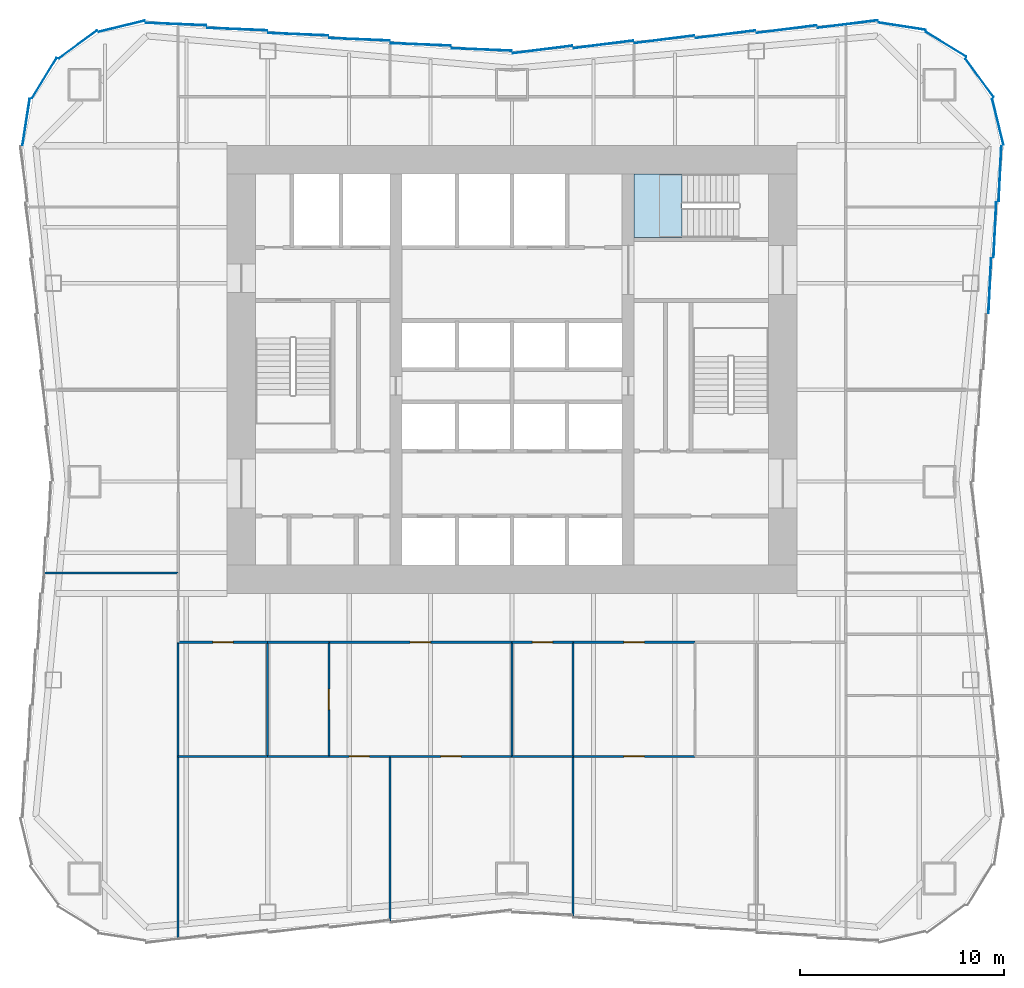
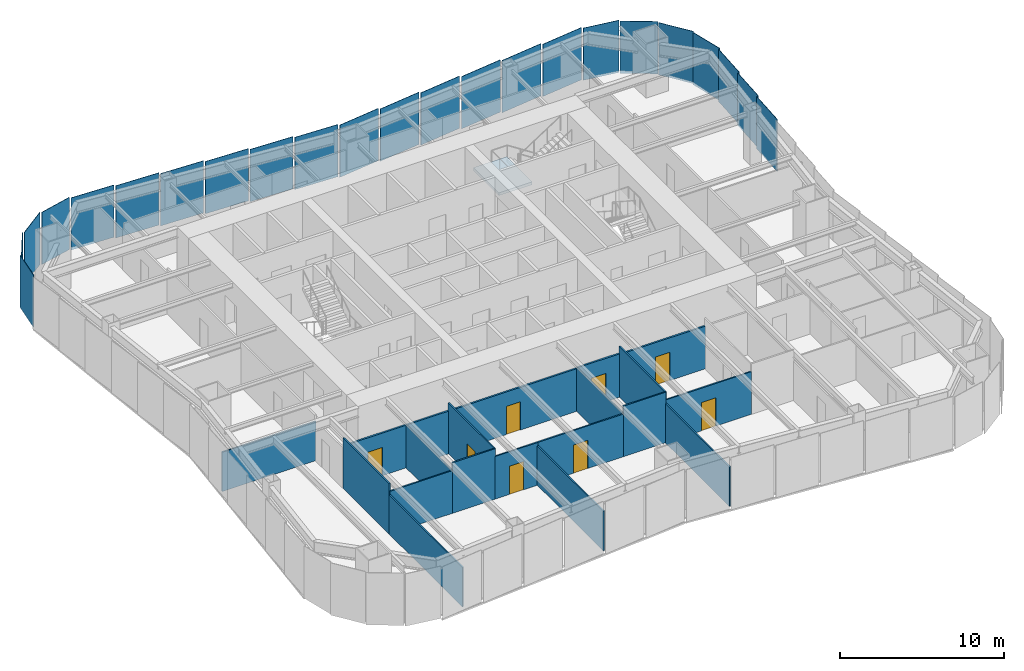
# One storey, part 3 of 7: 23 plates, 20 walls, 8 doors, 1 slab, 8 openings, 5 elements without a shape of their own.
"""IFC4 building model written with IfcOpenShell, lengths in metres."""

from ifc_helpers import new_model, si_unit, direction, frame, frame_2d, origin, origin_2d, place, context, subcontext, project, spatial, polyline, rectangle, outline, extrude, material, layer, layer_set, type_object, element, fill, aggregate, save


model = new_model("IFC4")

# Units and contexts
model_context = context("Model", 3, precision=1e-05, world=origin(), true_north=direction((0.0, 1.0)))
body_context = subcontext(model_context, "Body", "Model", "MODEL_VIEW")
ifc_project = project(units=[si_unit("LENGTHUNIT", "METRE"), si_unit("AREAUNIT", "SQUARE_METRE"), si_unit("VOLUMEUNIT", "CUBIC_METRE"), si_unit("PLANEANGLEUNIT", "RADIAN"), si_unit("MASSUNIT", "GRAM", prefix="KILO")], contexts=[model_context])

# Site, building, storey
site_placement = place(None, origin())
site = spatial("IfcSite", under=ifc_project, at=site_placement, CompositionType="ELEMENT")
building_placement = place(site_placement, origin())
building = spatial("IfcBuilding", under=site, at=building_placement, Name="Verdant Reach Tower", CompositionType="ELEMENT")
storey_placement = place(building_placement, frame((0.0, 0.0, 54.0)))
storey = spatial("IfcBuildingStorey", under=building, at=storey_placement, Name="L12", CompositionType="ELEMENT", Elevation=54.0)

# Stair, slab
ifc_material_1 = material(Name="Concrete C40/50", Category="concrete")
stair_type = type_object("IfcStairType", Name="CO-STAIR", PredefinedType="HALF_TURN_STAIR", material=ifc_material_1)
stair_placement = place(storey_placement, origin())
stair = element("IfcStair", 1, at=stair_placement, inside=storey, type_object=stair_type, Name="L12 Exit stair 3", PredefinedType="HALF_TURN_STAIR")
ifc_layer_1 = layer(ifc_material_1, 0.199951171875)
ifc_layer_set_1 = layer_set([ifc_layer_1], Name="CO-STAIR-LANDING")
slab_type = type_object("IfcSlabType", Name="CO-STAIR-LANDING", PredefinedType="LANDING", material=ifc_layer_set_1)
slab_placement = place(storey_placement, frame((0.0, 0.0, 1.800048828125)))
slab = element("IfcSlab", 2, at=slab_placement, type_object=slab_type, Name="ST-3 landing 1", PredefinedType="LANDING", context=body_context, shape_type="SweptSolid", body=[
    extrude(outline(polyline([(8.35009765625, 37.60009765625), (6.0, 37.60009765625), (6.0, 34.5), (8.35009765625, 34.5), (8.35009765625, 37.60009765625)])), origin(), (0.0, 0.0, 1.0), 0.199951171875),
])
aggregate(stair, [slab])

# Curtain wall, plate
ifc_material_2 = material(Name="Anodised aluminium", Category="aluminium")
curtain_wall_type = type_object("IfcCurtainWallType", Name="EN-CW SYSTEM Z0", PredefinedType="NOTDEFINED", material=ifc_material_2)
curtain_wall_1_placement = place(storey_placement, origin())
curtain_wall_1 = element("IfcCurtainWall", 3, at=curtain_wall_1_placement, inside=storey, type_object=curtain_wall_type, Name="Curtain wall north-east corner, L12", PredefinedType="NOTDEFINED")
ifc_material_3 = material(Name="Tinted glass with champagne spandrel", Category="glass")
ifc_layer_2 = layer(ifc_material_3, 0.031982421875)
ifc_layer_set_2 = layer_set([ifc_layer_2], Name="EN-PANEL CHAMPAGNE")
plate_type_1 = type_object("IfcPlateType", Name="EN-PANEL CHAMPAGNE", PredefinedType="CURTAIN_PANEL", material=ifc_layer_set_2)
plate_1_placement = place(storey_placement, frame((23.86767578125, 40.169921875, -0.22998046875), z_axis=(0.0, 0.0, 1.0), x_axis=(-0.236346786246, 0.97166876899, 0.0)))
plate_1 = element("IfcPlate", 4, at=plate_1_placement, type_object=plate_type_1, Name="Glass panel north-east corner 1.1, L12", PredefinedType="CURTAIN_PANEL", context=body_context, shape_type="SweptSolid", body=[
    extrude(rectangle(XDim=2.31884765625, YDim=0.031982421875, at=origin_2d()), origin(), (0.0, 0.0, 1.0), 3.8798828125),
])

# Curtain wall, plates
curtain_wall_2_placement = place(storey_placement, origin())
curtain_wall_2 = element("IfcCurtainWall", 5, at=curtain_wall_2_placement, inside=storey, type_object=curtain_wall_type, Name="Curtain wall north, L12", PredefinedType="NOTDEFINED")
plate_2_placement = place(storey_placement, frame((4.49169921875, 43.974609375, -0.22998046875), z_axis=(0.0, 0.0, 1.0), x_axis=(-0.992194034542, -0.124703639961, 0.0)))
plate_2 = element("IfcPlate", 6, at=plate_2_placement, type_object=plate_type_1, Name="Glass panel north face part 1 5.1, L12", PredefinedType="CURTAIN_PANEL", context=body_context, shape_type="SweptSolid", body=[
    extrude(rectangle(XDim=2.954345703125, YDim=0.031982421875, at=origin_2d()), origin(), (0.0, 0.0, 1.0), 3.8798828125),
])
plate_3_placement = place(storey_placement, frame((1.495849609375, 43.724853515625, -0.22998046875), z_axis=(0.0, 0.0, 1.0), x_axis=(-0.992179679439, -0.124817802047, 0.0)))
plate_3 = element("IfcPlate", 7, at=plate_3_placement, type_object=plate_type_1, Name="Glass panel north face part 1 6.1, L12", PredefinedType="CURTAIN_PANEL", context=body_context, shape_type="SweptSolid", body=[
    extrude(rectangle(XDim=2.946044921875, YDim=0.031982421875, at=origin_2d()), origin(), (0.0, 0.0, 1.0), 3.8798828125),
])
plate_4_placement = place(storey_placement, frame((-16.498779296875, 44.974853515625, -0.22998046875), z_axis=(0.0, 0.0, 1.0), x_axis=(-0.999162442933, 0.040919587398, 0.0)))
plate_4 = element("IfcPlate", 8, at=plate_4_placement, type_object=plate_type_1, Name="Glass panel north face part 2 6.1, L12", PredefinedType="CURTAIN_PANEL", context=body_context, shape_type="SweptSolid", body=[
    extrude(rectangle(XDim=2.96826171875, YDim=0.031982421875, at=origin_2d()), origin(), (0.0, 0.0, 1.0), 3.8798828125),
])

curtain_wall_3_placement = place(storey_placement, origin())
curtain_wall_3 = element("IfcCurtainWall", 9, at=curtain_wall_3_placement, inside=storey, type_object=curtain_wall_type, Name="Curtain wall east, L12", PredefinedType="NOTDEFINED")
ifc_material_4 = material(Name="Tinted glass with copper spandrel", Category="glass")
ifc_layer_3 = layer(ifc_material_4, 0.031982421875)
ifc_layer_set_3 = layer_set([ifc_layer_3], Name="EN-PANEL COPPER")
plate_type_2 = type_object("IfcPlateType", Name="EN-PANEL COPPER", PredefinedType="CURTAIN_PANEL", material=ifc_layer_set_3)
plate_5_placement = place(storey_placement, frame((23.474609375, 32.115966796875, -0.22998046875), z_axis=(0.0, 0.0, 1.0), x_axis=(0.04875265175, 0.998810882473, 0.0)))
plate_5 = element("IfcPlate", 10, at=plate_5_placement, type_object=plate_type_2, Name="Glass panel east face part 2 4.1, L12", PredefinedType="CURTAIN_PANEL", context=body_context, shape_type="SweptSolid", body=[
    extrude(rectangle(XDim=2.705322265625, YDim=0.031982421875, at=origin_2d()), origin(), (0.0, 0.0, 1.0), 3.8798828125),
])
plate_6_placement = place(storey_placement, frame((23.724609375, 34.865966796875, -0.22998046875), z_axis=(0.0, 0.0, 1.0), x_axis=(0.04875265175, 0.998810882473, 0.0)))
plate_6 = element("IfcPlate", 11, at=plate_6_placement, type_object=plate_type_2, Name="Glass panel east face part 2 5.1, L12", PredefinedType="CURTAIN_PANEL", context=body_context, shape_type="SweptSolid", body=[
    extrude(rectangle(XDim=2.705322265625, YDim=0.031982421875, at=origin_2d()), origin(), (0.0, 0.0, 1.0), 3.8798828125),
])

# Plate
plate_7_placement = place(storey_placement, frame((22.974609375, 42.32373046875, -0.22998046875), z_axis=(0.0, 0.0, 1.0), x_axis=(-0.589926778461, 0.807456745624, 0.0)))
plate_7 = element("IfcPlate", 12, at=plate_7_placement, type_object=plate_type_2, Name="Glass panel north-east corner 2.1, L12", PredefinedType="CURTAIN_PANEL", context=body_context, shape_type="SweptSolid", body=[
    extrude(rectangle(XDim=2.32421875, YDim=0.031982421875, at=origin_2d()), origin(), (0.0, 0.0, 1.0), 3.8798828125),
])

plate_8_placement = place(storey_placement, frame((21.32373046875, 43.974609375, -0.22998046875), z_axis=(0.0, 0.0, 1.0), x_axis=(-0.853988681713, 0.520291583159, 0.0)))
plate_8 = element("IfcPlate", 13, at=plate_8_placement, type_object=plate_type_2, Name="Glass panel north-east corner 3.1, L12", PredefinedType="CURTAIN_PANEL", context=body_context, shape_type="SweptSolid", body=[
    extrude(rectangle(XDim=2.32421875, YDim=0.031982421875, at=origin_2d()), origin(), (0.0, 0.0, 1.0), 3.8798828125),
])

plate_9_placement = place(storey_placement, frame((16.498779296875, 44.974853515625, -0.22998046875), z_axis=(0.0, 0.0, 1.0), x_axis=(-0.992234176789, -0.124383835008, 0.0)))
plate_9 = element("IfcPlate", 14, at=plate_9_placement, type_object=plate_type_2, Name="Glass panel north face part 1 1.1, L12", PredefinedType="CURTAIN_PANEL", context=body_context, shape_type="SweptSolid", body=[
    extrude(rectangle(XDim=2.96826171875, YDim=0.031982421875, at=origin_2d()), origin(), (0.0, 0.0, 1.0), 3.8798828125),
])

plate_10_placement = place(storey_placement, frame((-1.495849609375, 43.724853515625, -0.22998046875), z_axis=(0.0, 0.0, 1.0), x_axis=(-0.999144450138, 0.041356592674, 0.0)))
plate_10 = element("IfcPlate", 15, at=plate_10_placement, type_object=plate_type_2, Name="Glass panel north face part 2 1.1, L12", PredefinedType="CURTAIN_PANEL", context=body_context, shape_type="SweptSolid", body=[
    extrude(rectangle(XDim=2.946044921875, YDim=0.031982421875, at=origin_2d()), origin(), (0.0, 0.0, 1.0), 3.8798828125),
])

plate_11_placement = place(storey_placement, frame((-4.49169921875, 43.974609375, -0.22998046875), z_axis=(0.0, 0.0, 1.0), x_axis=(-0.999149202059, 0.041241629766, 0.0)))
plate_11 = element("IfcPlate", 16, at=plate_11_placement, type_object=plate_type_2, Name="Glass panel north face part 2 2.1, L12", PredefinedType="CURTAIN_PANEL", context=body_context, shape_type="SweptSolid", body=[
    extrude(rectangle(XDim=2.954345703125, YDim=0.031982421875, at=origin_2d()), origin(), (0.0, 0.0, 1.0), 3.8798828125),
])

plate_12_placement = place(storey_placement, frame((-7.49169921875, 44.224609375, -0.22998046875), z_axis=(0.0, 0.0, 1.0), x_axis=(-0.999149202059, 0.041241629766, 0.0)))
plate_12 = element("IfcPlate", 17, at=plate_12_placement, type_object=plate_type_2, Name="Glass panel north face part 2 3.1, L12", PredefinedType="CURTAIN_PANEL", context=body_context, shape_type="SweptSolid", body=[
    extrude(rectangle(XDim=2.954345703125, YDim=0.031982421875, at=origin_2d()), origin(), (0.0, 0.0, 1.0), 3.8798828125),
])

# Curtain wall, plate
curtain_wall_4_placement = place(storey_placement, origin())
curtain_wall_4 = element("IfcCurtainWall", 18, at=curtain_wall_4_placement, inside=storey, type_object=curtain_wall_type, Name="Curtain wall north-west corner, L12", PredefinedType="NOTDEFINED")
plate_13_placement = place(storey_placement, frame((-19.169921875, 44.86767578125, -0.22998046875), z_axis=(0.0, 0.0, 1.0), x_axis=(-0.97166347331, -0.236368556782, 0.0)))
plate_13 = element("IfcPlate", 19, at=plate_13_placement, type_object=plate_type_2, Name="Glass panel north-west corner 1.1, L12", PredefinedType="CURTAIN_PANEL", context=body_context, shape_type="SweptSolid", body=[
    extrude(rectangle(XDim=2.318603515625, YDim=0.031982421875, at=origin_2d()), origin(), (0.0, 0.0, 1.0), 3.8798828125),
])

# Plate
ifc_material_5 = material(Name="Tinted glass with dark bronze spandrel", Category="glass")
ifc_layer_4 = layer(ifc_material_5, 0.031982421875)
ifc_layer_set_4 = layer_set([ifc_layer_4], Name="EN-PANEL DARK")
plate_type_3 = type_object("IfcPlateType", Name="EN-PANEL DARK", PredefinedType="CURTAIN_PANEL", material=ifc_layer_set_4)
plate_14_placement = place(storey_placement, frame((23.974609375, 37.623046875, -0.22998046875), z_axis=(0.0, 0.0, 1.0), x_axis=(0.048382779248, 0.998828867561, 0.0)))
plate_14 = element("IfcPlate", 20, at=plate_14_placement, type_object=plate_type_3, Name="Glass panel east face part 2 6.1, L12", PredefinedType="CURTAIN_PANEL", context=body_context, shape_type="SweptSolid", body=[
    extrude(rectangle(XDim=2.7197265625, YDim=0.031982421875, at=origin_2d()), origin(), (0.0, 0.0, 1.0), 3.8798828125),
])

aggregate(curtain_wall_3, [plate_5, plate_6, plate_14])

plate_15_placement = place(storey_placement, frame((19.169921875, 44.86767578125, -0.22998046875), z_axis=(0.0, 0.0, 1.0), x_axis=(-0.98803452381, 0.154232875093, 0.0)))
plate_15 = element("IfcPlate", 21, at=plate_15_placement, type_object=plate_type_3, Name="Glass panel north-east corner 4.1, L12", PredefinedType="CURTAIN_PANEL", context=body_context, shape_type="SweptSolid", body=[
    extrude(rectangle(XDim=2.318603515625, YDim=0.031982421875, at=origin_2d()), origin(), (0.0, 0.0, 1.0), 3.8798828125),
])

aggregate(curtain_wall_1, [plate_1, plate_7, plate_8, plate_15])

plate_16_placement = place(storey_placement, frame((13.49169921875, 44.724609375, -0.22998046875), z_axis=(0.0, 0.0, 1.0), x_axis=(-0.992194034542, -0.124703639961, 0.0)))
plate_16 = element("IfcPlate", 22, at=plate_16_placement, type_object=plate_type_3, Name="Glass panel north face part 1 2.1, L12", PredefinedType="CURTAIN_PANEL", context=body_context, shape_type="SweptSolid", body=[
    extrude(rectangle(XDim=2.954345703125, YDim=0.031982421875, at=origin_2d()), origin(), (0.0, 0.0, 1.0), 3.8798828125),
])

plate_17_placement = place(storey_placement, frame((10.49169921875, 44.474609375, -0.22998046875), z_axis=(0.0, 0.0, 1.0), x_axis=(-0.992194034542, -0.124703639961, 0.0)))
plate_17 = element("IfcPlate", 23, at=plate_17_placement, type_object=plate_type_3, Name="Glass panel north face part 1 3.1, L12", PredefinedType="CURTAIN_PANEL", context=body_context, shape_type="SweptSolid", body=[
    extrude(rectangle(XDim=2.954345703125, YDim=0.031982421875, at=origin_2d()), origin(), (0.0, 0.0, 1.0), 3.8798828125),
])

plate_18_placement = place(storey_placement, frame((7.49169921875, 44.224609375, -0.22998046875), z_axis=(0.0, 0.0, 1.0), x_axis=(-0.992194034542, -0.124703639961, 0.0)))
plate_18 = element("IfcPlate", 24, at=plate_18_placement, type_object=plate_type_3, Name="Glass panel north face part 1 4.1, L12", PredefinedType="CURTAIN_PANEL", context=body_context, shape_type="SweptSolid", body=[
    extrude(rectangle(XDim=2.954345703125, YDim=0.031982421875, at=origin_2d()), origin(), (0.0, 0.0, 1.0), 3.8798828125),
])

plate_19_placement = place(storey_placement, frame((-10.49169921875, 44.474609375, -0.22998046875), z_axis=(0.0, 0.0, 1.0), x_axis=(-0.999149202059, 0.041241629766, 0.0)))
plate_19 = element("IfcPlate", 25, at=plate_19_placement, type_object=plate_type_3, Name="Glass panel north face part 2 4.1, L12", PredefinedType="CURTAIN_PANEL", context=body_context, shape_type="SweptSolid", body=[
    extrude(rectangle(XDim=2.954345703125, YDim=0.031982421875, at=origin_2d()), origin(), (0.0, 0.0, 1.0), 3.8798828125),
])

plate_20_placement = place(storey_placement, frame((-13.49169921875, 44.724609375, -0.22998046875), z_axis=(0.0, 0.0, 1.0), x_axis=(-0.999149202059, 0.041241629766, 0.0)))
plate_20 = element("IfcPlate", 26, at=plate_20_placement, type_object=plate_type_3, Name="Glass panel north face part 2 5.1, L12", PredefinedType="CURTAIN_PANEL", context=body_context, shape_type="SweptSolid", body=[
    extrude(rectangle(XDim=2.954345703125, YDim=0.031982421875, at=origin_2d()), origin(), (0.0, 0.0, 1.0), 3.8798828125),
])

aggregate(curtain_wall_2, [plate_9, plate_16, plate_17, plate_18, plate_2, plate_3, plate_10, plate_11, plate_12, plate_19, plate_20, plate_4])

plate_21_placement = place(storey_placement, frame((-21.32373046875, 43.974609375, -0.22998046875), z_axis=(0.0, 0.0, 1.0), x_axis=(-0.807456745624, -0.589926778461, 0.0)))
plate_21 = element("IfcPlate", 27, at=plate_21_placement, type_object=plate_type_3, Name="Glass panel north-west corner 2.1, L12", PredefinedType="CURTAIN_PANEL", context=body_context, shape_type="SweptSolid", body=[
    extrude(rectangle(XDim=2.32421875, YDim=0.031982421875, at=origin_2d()), origin(), (0.0, 0.0, 1.0), 3.8798828125),
])

plate_22_placement = place(storey_placement, frame((-22.974609375, 42.32373046875, -0.22998046875), z_axis=(0.0, 0.0, 1.0), x_axis=(-0.520291583159, -0.853988681713, 0.0)))
plate_22 = element("IfcPlate", 28, at=plate_22_placement, type_object=plate_type_3, Name="Glass panel north-west corner 3.1, L12", PredefinedType="CURTAIN_PANEL", context=body_context, shape_type="SweptSolid", body=[
    extrude(rectangle(XDim=2.32421875, YDim=0.031982421875, at=origin_2d()), origin(), (0.0, 0.0, 1.0), 3.8798828125),
])

plate_23_placement = place(storey_placement, frame((-23.86767578125, 40.169921875, -0.22998046875), z_axis=(0.0, 0.0, 1.0), x_axis=(-0.154210737778, -0.988037979206, 0.0)))
plate_23 = element("IfcPlate", 29, at=plate_23_placement, type_object=plate_type_3, Name="Glass panel north-west corner 4.1, L12", PredefinedType="CURTAIN_PANEL", context=body_context, shape_type="SweptSolid", body=[
    extrude(rectangle(XDim=2.31884765625, YDim=0.031982421875, at=origin_2d()), origin(), (0.0, 0.0, 1.0), 3.8798828125),
])

aggregate(curtain_wall_4, [plate_13, plate_21, plate_22, plate_23])

# Walls
ifc_material_6 = material(Name="Gypsum board on steel studs", Category="steel")
ifc_layer_5 = layer(ifc_material_6, 0.10009765625)
ifc_layer_set_5 = layer_set([ifc_layer_5], Name="FL-W1 Partition 100")
wall_type_1 = type_object("IfcWallType", Name="FL-W1 Partition 100", PredefinedType="PARTITIONING", material=ifc_layer_set_5)
wall_1_placement = place(storey_placement, frame((-12.0, 9.0, 0.0), z_axis=(0.0, 0.0, 1.0), x_axis=(0.0, 1.0, 0.0)))
element("IfcWall", 30, at=wall_1_placement, inside=storey, type_object=wall_type_1, Name="Partition 12.20", PredefinedType="PARTITIONING", context=body_context, shape_type="SweptSolid", body=[
    extrude(rectangle(XDim=5.60009765625, YDim=0.10009765625, at=frame_2d((2.800048828125, 0.0))), origin(), (0.0, 0.0, 1.0), 3.169921875),
])
wall_2_placement = place(storey_placement, frame((-16.39990234375, 9.0, 0.0), z_axis=(0.0, 0.0, 1.0), x_axis=(1.0, 0.0, 0.0)))
element("IfcWall", 31, at=wall_2_placement, inside=storey, type_object=wall_type_1, Name="Partition 12.21", PredefinedType="PARTITIONING", context=body_context, shape_type="SweptSolid", body=[
    extrude(rectangle(XDim=4.40380859375, YDim=0.10009765625, at=frame_2d((2.201904296875, 0.0))), origin(), (0.0, 0.0, 1.0), 3.169921875),
])
wall_3_placement = place(storey_placement, frame((-16.39990234375, 14.60400390625, 0.0), z_axis=(0.0, 0.0, 1.0), x_axis=(0.0, -1.0, 0.0)))
element("IfcWall", 32, at=wall_3_placement, inside=storey, type_object=wall_type_1, Name="Partition 12.22", PredefinedType="PARTITIONING", context=body_context, shape_type="SweptSolid", body=[
    extrude(rectangle(XDim=5.60791015625, YDim=0.10009765625, at=frame_2d((2.803955078125, 0.0))), origin(), (0.0, 0.0, 1.0), 3.75),
])

# Wall, opening, door
wall_4_placement = place(storey_placement, frame((-9.0, 9.0, 0.0), z_axis=(0.0, 0.0, 1.0), x_axis=(0.0, 1.0, 0.0)))
wall_4 = element("IfcWall", 33, at=wall_4_placement, inside=storey, type_object=wall_type_1, Name="Partition 12.23", PredefinedType="PARTITIONING", context=body_context, shape_type="SweptSolid", body=[
    extrude(rectangle(XDim=5.60009765625, YDim=0.10009765625, at=frame_2d((2.800048828125, 0.0))), origin(), (0.0, 0.0, 1.0), 3.75),
])
opening_1_placement = place(wall_4_placement, frame((2.300048828125, 0.0, 0.0)))
opening_1 = element("IfcOpeningElement", 34, at=opening_1_placement, cuts=wall_4, Name="Opening D3", PredefinedType="OPENING", context=body_context, shape_type="SweptSolid", body=[
    extrude(rectangle(XDim=1.0, YDim=2.10009765625, at=frame_2d((0.5, 1.050048828125))), frame((0.0, 0.06005859375, 0.0), z_axis=(0.0, -1.0, 0.0), x_axis=(1.0, 0.0, 0.0)), (0.0, 0.0, 1.0), 0.1201171875),
])
ifc_material_7 = material(Name="Painted timber door leaf", Category="wood")
door_type_1 = type_object("IfcDoorType", Name="FL-D3 Door 1000x2100", OperationType="NOTDEFINED", PredefinedType="DOOR", material=ifc_material_7)
door_1_placement = place(opening_1_placement, origin())
door_1 = element("IfcDoor", 35, at=door_1_placement, inside=storey, type_object=door_type_1, Name="Door 12-017", OperationType="SINGLE_SWING_LEFT", OverallHeight=2.10009765625, OverallWidth=1.0, PredefinedType="DOOR", context=body_context, shape_type="SweptSolid", body=[
    extrude(rectangle(XDim=1.0, YDim=2.10009765625, at=frame_2d((0.5, 1.050048828125))), frame((0.0, 0.02490234375, 0.0), z_axis=(0.0, -1.0, 0.0), x_axis=(1.0, 0.0, 0.0)), (0.0, 0.0, 1.0), 0.050048828125),
])
fill(opening_1, door_1)

# Walls
wall_5_placement = place(storey_placement, frame((-12.00390625, 9.0, 0.0), z_axis=(0.0, 0.0, 1.0), x_axis=(1.0, 0.0, 0.0)))
element("IfcWall", 36, at=wall_5_placement, inside=storey, type_object=wall_type_1, Name="Partition 12.24", PredefinedType="PARTITIONING", context=body_context, shape_type="SweptSolid", body=[
    extrude(rectangle(XDim=3.0078125, YDim=0.10009765625, at=frame_2d((1.50390625, 0.0))), origin(), (0.0, 0.0, 1.0), 3.75),
])
wall_6_placement = place(storey_placement, frame((0.0, 9.0, 0.0), z_axis=(0.0, 0.0, 1.0), x_axis=(0.0, 1.0, 0.0)))
element("IfcWall", 37, at=wall_6_placement, inside=storey, type_object=wall_type_1, Name="Partition 12.25", PredefinedType="PARTITIONING", context=body_context, shape_type="SweptSolid", body=[
    extrude(rectangle(XDim=5.60009765625, YDim=0.10009765625, at=frame_2d((2.800048828125, 0.0))), origin(), (0.0, 0.0, 1.0), 3.219970703125),
])

# Wall, opening, door
wall_7_placement = place(storey_placement, frame((-6.0, 9.0, 0.0), z_axis=(0.0, 0.0, 1.0), x_axis=(-1.0, 0.0, 0.0)))
wall_7 = element("IfcWall", 38, at=wall_7_placement, inside=storey, type_object=wall_type_1, Name="Partition 12.26", PredefinedType="PARTITIONING", context=body_context, shape_type="SweptSolid", body=[
    extrude(rectangle(XDim=3.00390625, YDim=0.10009765625, at=frame_2d((1.501953125, 0.0))), origin(), (0.0, 0.0, 1.0), 3.169921875),
])
opening_2_placement = place(wall_7_placement, frame((1.001953125, 0.0, 0.0)))
opening_2 = element("IfcOpeningElement", 39, at=opening_2_placement, cuts=wall_7, Name="Opening D3", PredefinedType="OPENING", context=body_context, shape_type="SweptSolid", body=[
    extrude(rectangle(XDim=1.0, YDim=2.10009765625, at=frame_2d((0.5, 1.050048828125))), frame((0.0, 0.06005859375, 0.0), z_axis=(0.0, -1.0, 0.0), x_axis=(1.0, 0.0, 0.0)), (0.0, 0.0, 1.0), 0.1201171875),
])
door_2_placement = place(opening_2_placement, origin())
door_2 = element("IfcDoor", 40, at=door_2_placement, inside=storey, type_object=door_type_1, Name="Door 12-018", OperationType="SINGLE_SWING_RIGHT", OverallHeight=2.10009765625, OverallWidth=1.0, PredefinedType="DOOR", context=body_context, shape_type="SweptSolid", body=[
    extrude(rectangle(XDim=1.0, YDim=2.10009765625, at=frame_2d((0.5, 1.050048828125))), frame((0.0, 0.02490234375, 0.0), z_axis=(0.0, -1.0, 0.0), x_axis=(1.0, 0.0, 0.0)), (0.0, 0.0, 1.0), 0.050048828125),
])
fill(opening_2, door_2)

wall_8_placement = place(storey_placement, frame((0.00390625, 9.0, 0.0), z_axis=(0.0, 0.0, 1.0), x_axis=(-1.0, 0.0, 0.0)))
wall_8 = element("IfcWall", 41, at=wall_8_placement, inside=storey, type_object=wall_type_1, Name="Partition 12.27", PredefinedType="PARTITIONING", context=body_context, shape_type="SweptSolid", body=[
    extrude(rectangle(XDim=6.00390625, YDim=0.10009765625, at=frame_2d((3.001953125, 0.0))), origin(), (0.0, 0.0, 1.0), 3.169921875),
])
opening_3_placement = place(wall_8_placement, frame((2.501953125, 0.0, 0.0)))
opening_3 = element("IfcOpeningElement", 42, at=opening_3_placement, cuts=wall_8, Name="Opening D3", PredefinedType="OPENING", context=body_context, shape_type="SweptSolid", body=[
    extrude(rectangle(XDim=1.0, YDim=2.10009765625, at=frame_2d((0.5, 1.050048828125))), frame((0.0, 0.06005859375, 0.0), z_axis=(0.0, -1.0, 0.0), x_axis=(1.0, 0.0, 0.0)), (0.0, 0.0, 1.0), 0.1201171875),
])
door_3_placement = place(opening_3_placement, origin())
door_3 = element("IfcDoor", 43, at=door_3_placement, inside=storey, type_object=door_type_1, Name="Door 12-019", OperationType="SINGLE_SWING_LEFT", OverallHeight=2.10009765625, OverallWidth=1.0, PredefinedType="DOOR", context=body_context, shape_type="SweptSolid", body=[
    extrude(rectangle(XDim=1.0, YDim=2.10009765625, at=frame_2d((0.5, 1.050048828125))), frame((0.0, 0.02490234375, 0.0), z_axis=(0.0, -1.0, 0.0), x_axis=(1.0, 0.0, 0.0)), (0.0, 0.0, 1.0), 0.050048828125),
])
fill(opening_3, door_3)

# Walls
wall_9_placement = place(storey_placement, frame((-0.00390625, 9.0, 0.0), z_axis=(0.0, 0.0, 1.0), x_axis=(1.0, 0.0, 0.0)))
element("IfcWall", 44, at=wall_9_placement, inside=storey, type_object=wall_type_1, Name="Partition 12.28", PredefinedType="PARTITIONING", context=body_context, shape_type="SweptSolid", body=[
    extrude(rectangle(XDim=3.00390625, YDim=0.10009765625, at=frame_2d((1.501953125, 0.0))), origin(), (0.0, 0.0, 1.0), 3.75),
])
wall_10_placement = place(storey_placement, frame((3.0, 9.0, 0.0), z_axis=(0.0, 0.0, 1.0), x_axis=(0.0, 1.0, 0.0)))
element("IfcWall", 45, at=wall_10_placement, inside=storey, type_object=wall_type_1, Name="Partition 12.29", PredefinedType="PARTITIONING", context=body_context, shape_type="SweptSolid", body=[
    extrude(rectangle(XDim=5.60009765625, YDim=0.10009765625, at=frame_2d((2.800048828125, 0.0))), origin(), (0.0, 0.0, 1.0), 3.75),
])
wall_11_placement = place(storey_placement, frame((-6.0, 0.919921875, 0.0), z_axis=(0.0, 0.0, 1.0), x_axis=(0.0, 1.0, 0.0)))
element("IfcWall", 46, at=wall_11_placement, inside=storey, type_object=wall_type_1, Name="Partition 12.30", PredefinedType="PARTITIONING", context=body_context, shape_type="SweptSolid", body=[
    extrude(rectangle(XDim=8.080078125, YDim=0.10009765625, at=frame_2d((4.0400390625, 0.0))), origin(), (0.0, 0.0, 1.0), 2.919921875),
])
wall_12_placement = place(storey_placement, frame((-16.39990234375, 9.00390625, 0.0), z_axis=(0.0, 0.0, 1.0), x_axis=(0.0, -1.0, 0.0)))
element("IfcWall", 47, at=wall_12_placement, inside=storey, type_object=wall_type_1, Name="Partition 12.31", PredefinedType="PARTITIONING", context=body_context, shape_type="SweptSolid", body=[
    extrude(rectangle(XDim=8.95068359375, YDim=0.10009765625, at=frame_2d((4.475341796875, 0.0))), origin(), (0.0, 0.0, 1.0), 2.919921875),
])
wall_13_placement = place(storey_placement, frame((3.0, 1.169921875, 0.0), z_axis=(0.0, 0.0, 1.0), x_axis=(0.0, 1.0, 0.0)))
element("IfcWall", 48, at=wall_13_placement, inside=storey, type_object=wall_type_1, Name="Partition 12.32", PredefinedType="PARTITIONING", context=body_context, shape_type="SweptSolid", body=[
    extrude(rectangle(XDim=7.830078125, YDim=0.10009765625, at=frame_2d((3.9150390625, 0.0))), origin(), (0.0, 0.0, 1.0), 2.919921875),
])

# Wall, opening, door
wall_14_placement = place(storey_placement, frame((9.00390625, 9.0, 0.0), z_axis=(0.0, 0.0, 1.0), x_axis=(-1.0, 0.0, 0.0)))
wall_14 = element("IfcWall", 49, at=wall_14_placement, inside=storey, type_object=wall_type_1, Name="Partition 12.34", PredefinedType="PARTITIONING", context=body_context, shape_type="SweptSolid", body=[
    extrude(rectangle(XDim=6.00390625, YDim=0.10009765625, at=frame_2d((3.001953125, 0.0))), origin(), (0.0, 0.0, 1.0), 3.169921875),
])
opening_4_placement = place(wall_14_placement, frame((2.501953125, 0.0, 0.0)))
opening_4 = element("IfcOpeningElement", 50, at=opening_4_placement, cuts=wall_14, Name="Opening D3", PredefinedType="OPENING", context=body_context, shape_type="SweptSolid", body=[
    extrude(rectangle(XDim=1.0, YDim=2.10009765625, at=frame_2d((0.5, 1.050048828125))), frame((0.0, 0.06005859375, 0.0), z_axis=(0.0, -1.0, 0.0), x_axis=(1.0, 0.0, 0.0)), (0.0, 0.0, 1.0), 0.1201171875),
])
door_4_placement = place(opening_4_placement, origin())
door_4 = element("IfcDoor", 51, at=door_4_placement, inside=storey, type_object=door_type_1, Name="Door 12-021", OperationType="SINGLE_SWING_LEFT", OverallHeight=2.10009765625, OverallWidth=1.0, PredefinedType="DOOR", context=body_context, shape_type="SweptSolid", body=[
    extrude(rectangle(XDim=1.0, YDim=2.10009765625, at=frame_2d((0.5, 1.050048828125))), frame((0.0, 0.02490234375, 0.0), z_axis=(0.0, -1.0, 0.0), x_axis=(1.0, 0.0, 0.0)), (0.0, 0.0, 1.0), 0.050048828125),
])
fill(opening_4, door_4)

# Wall
wall_15_placement = place(storey_placement, frame((-16.39990234375, 18.0, 0.0), z_axis=(0.0, 0.0, 1.0), x_axis=(-1.0, 0.0, 0.0)))
element("IfcWall", 52, at=wall_15_placement, inside=storey, type_object=wall_type_1, Name="Partition 12.46", PredefinedType="PARTITIONING", context=body_context, shape_type="SweptSolid", body=[
    extrude(rectangle(XDim=6.589111328125, YDim=0.10009765625, at=frame_2d((3.29443359375, 0.0))), origin(), (0.0, 0.0, 1.0), 2.919921875),
])

# Wall, opening, door
ifc_material_8 = material(Name="Gypsum board on steel studs, fire rated", Category="steel")
ifc_layer_6 = layer(ifc_material_8, 0.125)
ifc_layer_set_6 = layer_set([ifc_layer_6], Name="FL-W2 Corridor wall 125")
wall_type_2 = type_object("IfcWallType", Name="FL-W2 Corridor wall 125", PredefinedType="PARTITIONING", material=ifc_layer_set_6)
wall_16_placement = place(storey_placement, frame((-12.0, 14.60009765625, 0.0), z_axis=(0.0, 0.0, 1.0), x_axis=(-1.0, 0.0, 0.0)))
wall_16 = element("IfcWall", 53, at=wall_16_placement, inside=storey, type_object=wall_type_2, Name="Partition 12.01", PredefinedType="PARTITIONING", context=body_context, shape_type="SweptSolid", body=[
    extrude(rectangle(XDim=4.39990234375, YDim=0.125, at=frame_2d((2.199951171875, 0.0))), origin(), (0.0, 0.0, 1.0), 3.169921875),
])
opening_5_placement = place(wall_16_placement, frame((1.699951171875, 0.0, 0.0)))
opening_5 = element("IfcOpeningElement", 54, at=opening_5_placement, cuts=wall_16, Name="Opening D2", PredefinedType="OPENING", context=body_context, shape_type="SweptSolid", body=[
    extrude(rectangle(XDim=1.0, YDim=2.10009765625, at=frame_2d((0.5, 1.050048828125))), frame((0.0, 0.072509765625, 0.0), z_axis=(0.0, -1.0, 0.0), x_axis=(1.0, 0.0, 0.0)), (0.0, 0.0, 1.0), 0.14501953125),
])
ifc_material_9 = material(Name="Timber door leaf, fire rated", Category="wood")
door_type_2 = type_object("IfcDoorType", Name="FL-D2 Entrance door 1000x2100 FD30", OperationType="NOTDEFINED", PredefinedType="DOOR", material=ifc_material_9)
door_5_placement = place(opening_5_placement, origin())
door_5 = element("IfcDoor", 55, at=door_5_placement, inside=storey, type_object=door_type_2, Name="Door 12-001", OperationType="SINGLE_SWING_LEFT", OverallHeight=2.10009765625, OverallWidth=1.0, PredefinedType="DOOR", context=body_context, shape_type="SweptSolid", body=[
    extrude(rectangle(XDim=1.0, YDim=2.10009765625, at=frame_2d((0.5, 1.050048828125))), frame((0.0, 0.02490234375, 0.0), z_axis=(0.0, -1.0, 0.0), x_axis=(1.0, 0.0, 0.0)), (0.0, 0.0, 1.0), 0.050048828125),
])
fill(opening_5, door_5)

# Wall
wall_17_placement = place(storey_placement, frame((-12.0, 14.60009765625, 0.0), z_axis=(0.0, 0.0, 1.0), x_axis=(1.0, 0.0, 0.0)))
element("IfcWall", 56, at=wall_17_placement, inside=storey, type_object=wall_type_2, Name="Partition 12.02", PredefinedType="PARTITIONING", context=body_context, shape_type="SweptSolid", body=[
    extrude(rectangle(XDim=3.0, YDim=0.125, at=frame_2d((1.5, 0.0))), origin(), (0.0, 0.0, 1.0), 3.169921875),
])

# Wall, opening, door
wall_18_placement = place(storey_placement, frame((0.0, 14.60009765625, 0.0), z_axis=(0.0, 0.0, 1.0), x_axis=(-1.0, 0.0, 0.0)))
wall_18 = element("IfcWall", 57, at=wall_18_placement, inside=storey, type_object=wall_type_2, Name="Partition 12.03", PredefinedType="PARTITIONING", context=body_context, shape_type="SweptSolid", body=[
    extrude(rectangle(XDim=9.0, YDim=0.125, at=frame_2d((4.5, 0.0))), origin(), (0.0, 0.0, 1.0), 3.169921875),
])
opening_6_placement = place(wall_18_placement, frame((4.0, 0.0, 0.0)))
opening_6 = element("IfcOpeningElement", 58, at=opening_6_placement, cuts=wall_18, Name="Opening D2", PredefinedType="OPENING", context=body_context, shape_type="SweptSolid", body=[
    extrude(rectangle(XDim=1.0, YDim=2.10009765625, at=frame_2d((0.5, 1.050048828125))), frame((0.0, 0.072509765625, 0.0), z_axis=(0.0, -1.0, 0.0), x_axis=(1.0, 0.0, 0.0)), (0.0, 0.0, 1.0), 0.14501953125),
])
door_6_placement = place(opening_6_placement, origin())
door_6 = element("IfcDoor", 59, at=door_6_placement, inside=storey, type_object=door_type_2, Name="Door 12-002", OperationType="SINGLE_SWING_RIGHT", OverallHeight=2.10009765625, OverallWidth=1.0, PredefinedType="DOOR", context=body_context, shape_type="SweptSolid", body=[
    extrude(rectangle(XDim=1.0, YDim=2.10009765625, at=frame_2d((0.5, 1.050048828125))), frame((0.0, 0.02490234375, 0.0), z_axis=(0.0, -1.0, 0.0), x_axis=(1.0, 0.0, 0.0)), (0.0, 0.0, 1.0), 0.050048828125),
])
fill(opening_6, door_6)

wall_19_placement = place(storey_placement, frame((3.0, 14.60009765625, 0.0), z_axis=(0.0, 0.0, 1.0), x_axis=(-1.0, 0.0, 0.0)))
wall_19 = element("IfcWall", 60, at=wall_19_placement, inside=storey, type_object=wall_type_2, Name="Partition 12.04", PredefinedType="PARTITIONING", context=body_context, shape_type="SweptSolid", body=[
    extrude(rectangle(XDim=3.0, YDim=0.125, at=frame_2d((1.5, 0.0))), origin(), (0.0, 0.0, 1.0), 3.219970703125),
])
opening_7_placement = place(wall_19_placement, frame((1.0, 0.0, 0.0)))
opening_7 = element("IfcOpeningElement", 61, at=opening_7_placement, cuts=wall_19, Name="Opening D2", PredefinedType="OPENING", context=body_context, shape_type="SweptSolid", body=[
    extrude(rectangle(XDim=1.0, YDim=2.10009765625, at=frame_2d((0.5, 1.050048828125))), frame((0.0, 0.072509765625, 0.0), z_axis=(0.0, -1.0, 0.0), x_axis=(1.0, 0.0, 0.0)), (0.0, 0.0, 1.0), 0.14501953125),
])
door_7_placement = place(opening_7_placement, origin())
door_7 = element("IfcDoor", 62, at=door_7_placement, inside=storey, type_object=door_type_2, Name="Door 12-003", OperationType="SINGLE_SWING_LEFT", OverallHeight=2.10009765625, OverallWidth=1.0, PredefinedType="DOOR", context=body_context, shape_type="SweptSolid", body=[
    extrude(rectangle(XDim=1.0, YDim=2.10009765625, at=frame_2d((0.5, 1.050048828125))), frame((0.0, 0.02490234375, 0.0), z_axis=(0.0, -1.0, 0.0), x_axis=(1.0, 0.0, 0.0)), (0.0, 0.0, 1.0), 0.050048828125),
])
fill(opening_7, door_7)

wall_20_placement = place(storey_placement, frame((9.0, 14.60009765625, 0.0), z_axis=(0.0, 0.0, 1.0), x_axis=(-1.0, 0.0, 0.0)))
wall_20 = element("IfcWall", 63, at=wall_20_placement, inside=storey, type_object=wall_type_2, Name="Partition 12.05", PredefinedType="PARTITIONING", context=body_context, shape_type="SweptSolid", body=[
    extrude(rectangle(XDim=6.0, YDim=0.125, at=frame_2d((3.0, 0.0))), origin(), (0.0, 0.0, 1.0), 3.169921875),
])
opening_8_placement = place(wall_20_placement, frame((2.5, 0.0, 0.0)))
opening_8 = element("IfcOpeningElement", 64, at=opening_8_placement, cuts=wall_20, Name="Opening D2", PredefinedType="OPENING", context=body_context, shape_type="SweptSolid", body=[
    extrude(rectangle(XDim=1.0, YDim=2.10009765625, at=frame_2d((0.5, 1.050048828125))), frame((0.0, 0.072509765625, 0.0), z_axis=(0.0, -1.0, 0.0), x_axis=(1.0, 0.0, 0.0)), (0.0, 0.0, 1.0), 0.14501953125),
])
door_8_placement = place(opening_8_placement, origin())
door_8 = element("IfcDoor", 65, at=door_8_placement, inside=storey, type_object=door_type_2, Name="Door 12-004", OperationType="SINGLE_SWING_RIGHT", OverallHeight=2.10009765625, OverallWidth=1.0, PredefinedType="DOOR", context=body_context, shape_type="SweptSolid", body=[
    extrude(rectangle(XDim=1.0, YDim=2.10009765625, at=frame_2d((0.5, 1.050048828125))), frame((0.0, 0.02490234375, 0.0), z_axis=(0.0, -1.0, 0.0), x_axis=(1.0, 0.0, 0.0)), (0.0, 0.0, 1.0), 0.050048828125),
])
fill(opening_8, door_8)

save(model, "model.ifc")
